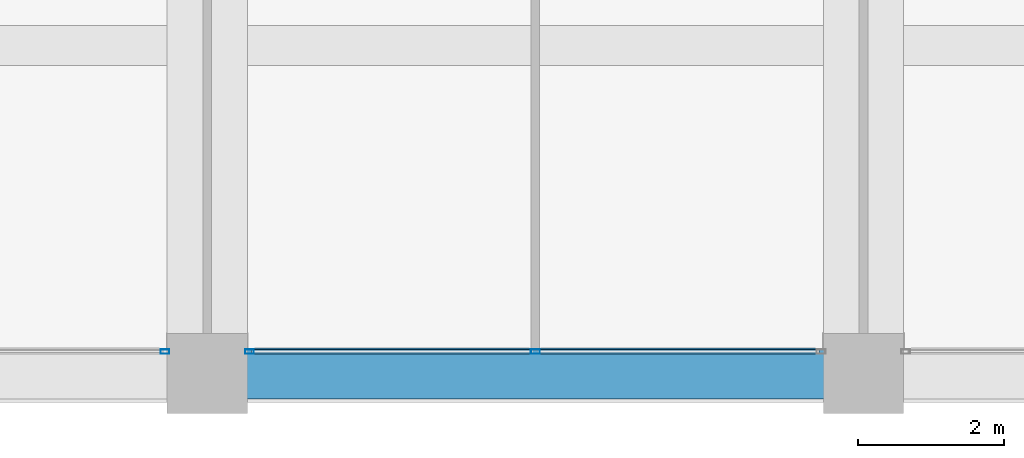
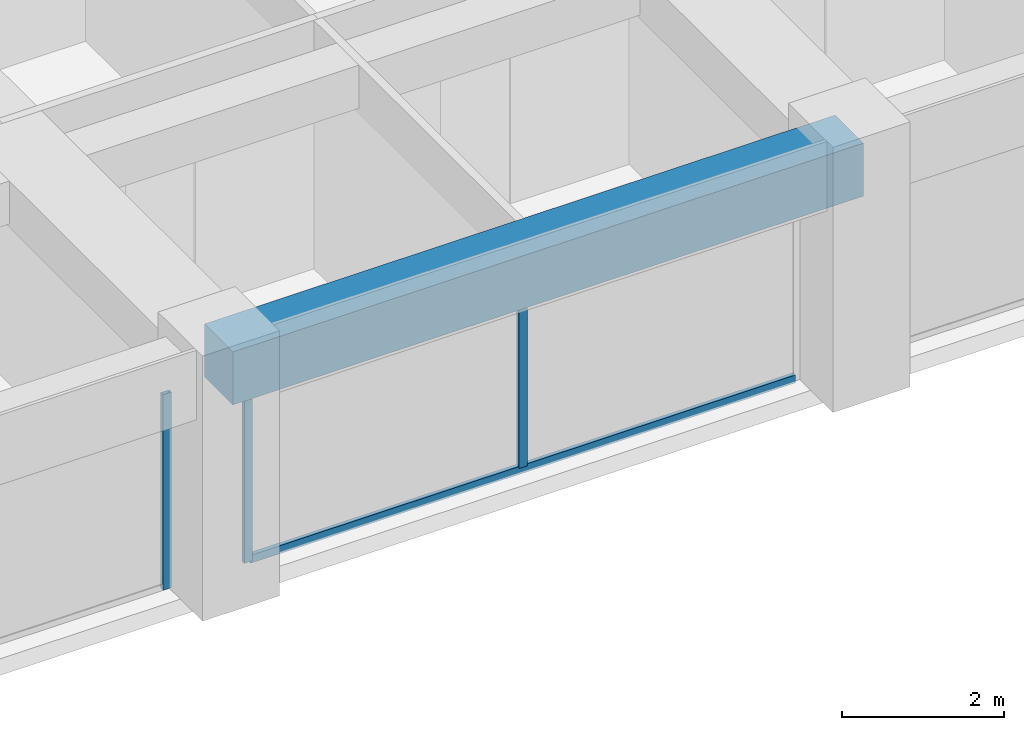
# One storey, part 9 of 44: 4 members, 1 beam, 2 elements without a shape of their own.
"""IFC4 building model written with IfcOpenShell, lengths in metres."""

from ifc_helpers import new_model, si_unit, direction, frame, origin, origin_2d, place, context, subcontext, project, spatial, rectangle, hollow_rectangle, extrude, material, material_profile, profile_set, type_object, element, aggregate, save


model = new_model("IFC4")

# Units and contexts
model_context = context("Model", 3, precision=1e-05, world=origin(), true_north=direction((0.0, 1.0)))
body_context = subcontext(model_context, "Body", "Model", "MODEL_VIEW")
ifc_project = project(units=[si_unit("LENGTHUNIT", "METRE"), si_unit("AREAUNIT", "SQUARE_METRE"), si_unit("VOLUMEUNIT", "CUBIC_METRE"), si_unit("PLANEANGLEUNIT", "RADIAN"), si_unit("MASSUNIT", "GRAM", prefix="KILO")], contexts=[model_context])

# Site, building, storey
site_placement = place(None, origin())
site = spatial("IfcSite", under=ifc_project, at=site_placement, CompositionType="ELEMENT")
building_placement = place(site_placement, origin())
building = spatial("IfcBuilding", under=site, at=building_placement, Name="Zorevar Civic Tower", CompositionType="ELEMENT")
storey_placement = place(building_placement, frame((0.0, 0.0, 275.39990234375)))
storey = spatial("IfcBuildingStorey", under=building, at=storey_placement, Name="L67", CompositionType="ELEMENT", Elevation=275.39990234375)

# Curtain wall, member
ifc_material_1 = material(Name="Dark grey solar-control glass in black aluminium frame", Category="aluminium")
curtain_wall_type = type_object("IfcCurtainWallType", Name="Curtain wall CW5 top zone", PredefinedType="NOTDEFINED", material=ifc_material_1)
curtain_wall_1_placement = place(storey_placement, origin())
curtain_wall_1 = element("IfcCurtainWall", 1, at=curtain_wall_1_placement, inside=storey, type_object=curtain_wall_type, Name="CW5 L67", PredefinedType="NOTDEFINED")
ifc_material_2 = material(Name="Aluminium, black anodised", Category="aluminium")
ifc_material_profile_1 = material_profile(ifc_material_2, hollow_rectangle(XDim=0.06005859375, YDim=0.1201171875, WallThickness=0.0029296875, at=origin_2d()), Name="AL 120x60x3")
ifc_profile_set_1 = profile_set([ifc_material_profile_1], Name="Aluminium, black anodised")
member_type_1 = type_object("IfcMemberType", Name="CW5 mullion AL 120x60x3", PredefinedType="MULLION", material=ifc_profile_set_1)
member_1_placement = place(storey_placement, frame((26.419921875, 0.300048828125, 0.0), z_axis=(0.0, 0.0, 1.0), x_axis=(0.0, 1.0, 0.0)))
member_1 = element("IfcMember", 2, at=member_1_placement, type_object=member_type_1, Name="CW5 mullion 3", PredefinedType="MULLION", context=body_context, shape_type="SweptSolid", body=[
    extrude(hollow_rectangle(XDim=0.06005859375, YDim=0.1201171875, WallThickness=0.0029296875, at=origin_2d()), origin(), (0.0, 0.0, 1.0), 2.9501953125),
])
aggregate(curtain_wall_1, [member_1])

# Curtain wall, members
curtain_wall_2_placement = place(storey_placement, origin())
curtain_wall_2 = element("IfcCurtainWall", 3, at=curtain_wall_2_placement, inside=storey, type_object=curtain_wall_type, Name="CW5 L67", PredefinedType="NOTDEFINED")
member_2_placement = place(storey_placement, frame((27.580078125, 0.300048828125, 0.0), z_axis=(0.0, 0.0, 1.0), x_axis=(0.0, 1.0, 0.0)))
member_2 = element("IfcMember", 4, at=member_2_placement, type_object=member_type_1, Name="CW5 mullion 1", PredefinedType="MULLION", context=body_context, shape_type="SweptSolid", body=[
    extrude(hollow_rectangle(XDim=0.06005859375, YDim=0.1201171875, WallThickness=0.0029296875, at=origin_2d()), origin(), (0.0, 0.0, 1.0), 2.9501953125),
])
member_3_placement = place(storey_placement, frame((31.5, 0.300048828125, 0.06005859375), z_axis=(0.0, 0.0, 1.0), x_axis=(0.0, 1.0, 0.0)))
member_3 = element("IfcMember", 5, at=member_3_placement, type_object=member_type_1, Name="CW5 mullion 2", PredefinedType="MULLION", context=body_context, shape_type="SweptSolid", body=[
    extrude(hollow_rectangle(XDim=0.06005859375, YDim=0.1201171875, WallThickness=0.0029296875, at=origin_2d()), origin(), (0.0, 0.0, 1.0), 2.89013671875),
])
ifc_material_3 = material(Name="Aluminium, black anodised", Category="aluminium")
ifc_material_profile_2 = material_profile(ifc_material_3, hollow_rectangle(XDim=0.06005859375, YDim=0.1201171875, WallThickness=0.0029296875, at=origin_2d()), Name="AL 120x60x3")
ifc_profile_set_2 = profile_set([ifc_material_profile_2], Name="Aluminium, black anodised")
member_type_2 = type_object("IfcMemberType", Name="CW5 transom AL 120x60x3", PredefinedType="USERDEFINED", material=ifc_profile_set_2)
member_4_placement = place(storey_placement, frame((27.610107421875, 0.300048828125, 0.030029296875), z_axis=(1.0, 0.0, 0.0), x_axis=(0.0, 1.0, 0.0)))
member_4 = element("IfcMember", 6, at=member_4_placement, type_object=member_type_2, Name="CW5 sill transom", ObjectType="TRANSOM", PredefinedType="USERDEFINED", context=body_context, shape_type="SweptSolid", body=[
    extrude(hollow_rectangle(XDim=0.06005859375, YDim=0.1201171875, WallThickness=0.0029296875, at=origin_2d()), origin(), (0.0, 0.0, 1.0), 7.77978515625),
])
aggregate(curtain_wall_2, [member_2, member_3, member_4])

# Beam
ifc_material_4 = material(Name="Concrete C50/60", Category="concrete")
ifc_material_profile_3 = material_profile(ifc_material_4, rectangle(XDim=0.699951171875, YDim=0.800048828125, at=origin_2d()), Name="RC 700x800")
ifc_profile_set_3 = profile_set([ifc_material_profile_3], Name="Concrete C50/60")
beam_type = type_object("IfcBeamType", Name="Edge beam RC 700x800", PredefinedType="SPANDREL", material=ifc_profile_set_3)
beam_placement = place(storey_placement, frame((27.0, 0.0, 3.35009765625), z_axis=(1.0, 0.0, 0.0), x_axis=(0.0, 1.0, 0.0)))
element("IfcBeam", 7, at=beam_placement, inside=storey, type_object=beam_type, Name="Edge beam L68", PredefinedType="SPANDREL", context=body_context, shape_type="SweptSolid", body=[
    extrude(rectangle(XDim=0.699951171875, YDim=0.800048828125, at=origin_2d()), origin(), (0.0, 0.0, 1.0), 9.0),
])

save(model, "model.ifc")
